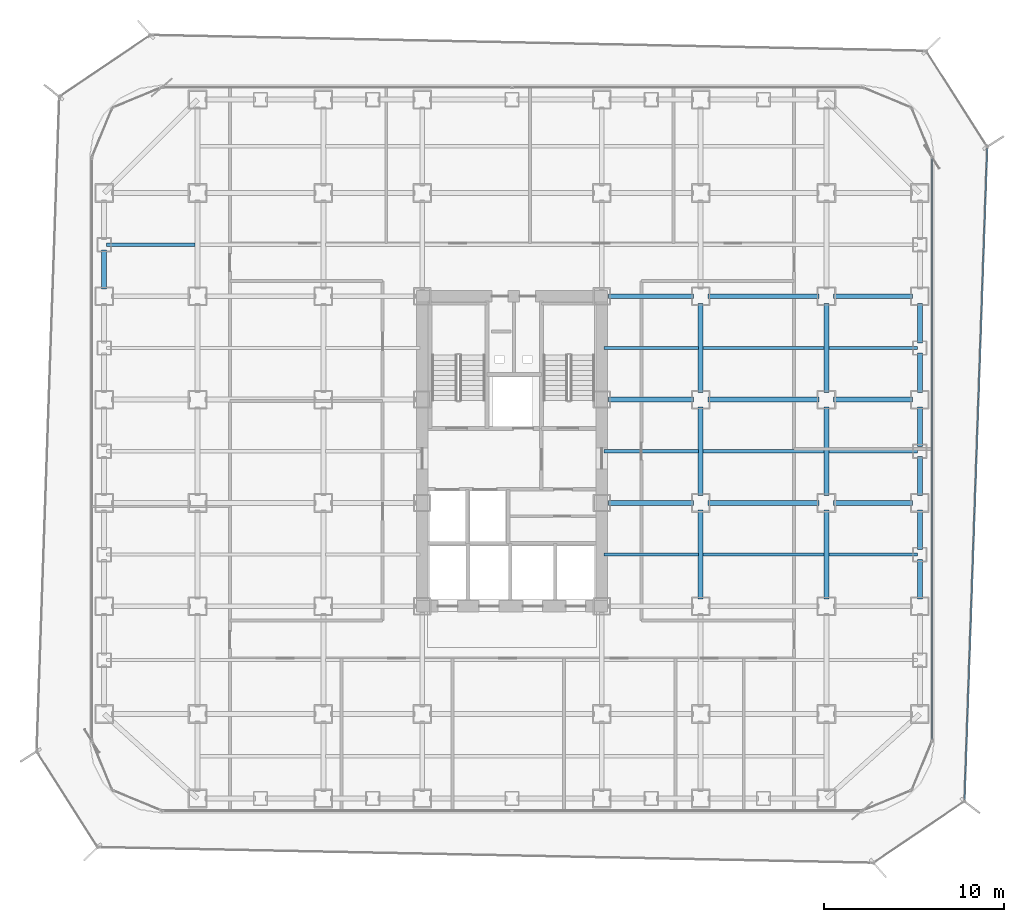
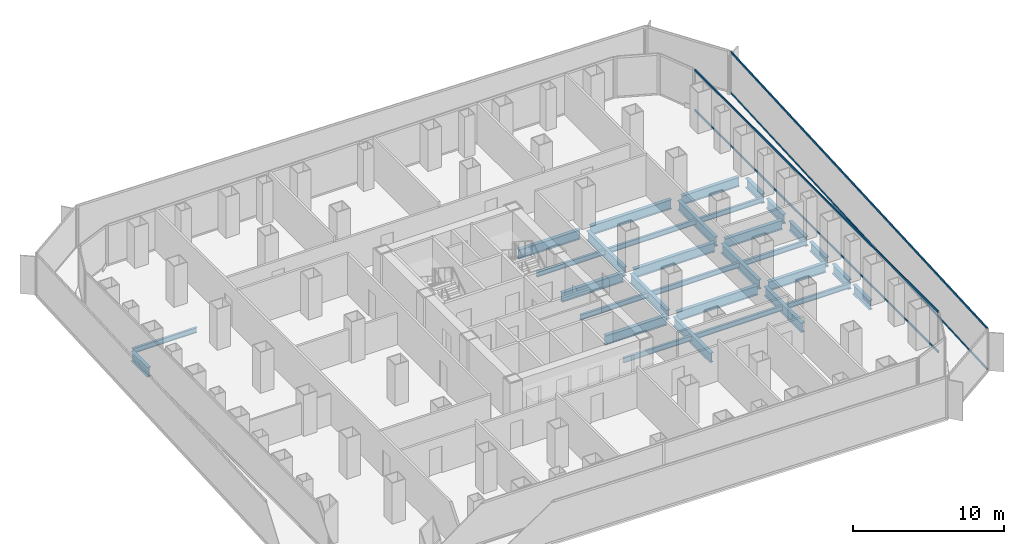
# One storey, part 9 of 22: 32 beams, 4 members, 2 elements without a shape of their own.
"""IFC4 building model written with IfcOpenShell, lengths in metres."""

from ifc_helpers import new_model, si_unit, direction, frame, origin, origin_2d, place, context, subcontext, project, spatial, hollow_rectangle, i_section, extrude, source, transform, mapped, material, layer, layer_set, material_profile, profile_set, type_object, element, aggregate, save


model = new_model("IFC4")

# Units and contexts
model_context = context("Model", 3, precision=1e-05, world=origin(), true_north=direction((0.0, 1.0)))
body_context = subcontext(model_context, "Body", "Model", "MODEL_VIEW")
ifc_project = project(units=[si_unit("LENGTHUNIT", "METRE"), si_unit("AREAUNIT", "SQUARE_METRE"), si_unit("VOLUMEUNIT", "CUBIC_METRE"), si_unit("PLANEANGLEUNIT", "RADIAN"), si_unit("MASSUNIT", "GRAM", prefix="KILO")], contexts=[model_context])

# Site, building, storey
site_placement = place(None, origin())
site = spatial("IfcSite", under=ifc_project, at=site_placement, CompositionType="ELEMENT")
building_placement = place(site_placement, origin())
building = spatial("IfcBuilding", under=site, at=building_placement, Name="Kolveth Station Tower", CompositionType="ELEMENT")
storey_placement = place(building_placement, frame((0.0, 0.0, 65.699951171875)))
storey = spatial("IfcBuildingStorey", under=building, at=storey_placement, Name="L17", CompositionType="ELEMENT", Elevation=65.699951171875)

# Beams
ifc_material_1 = material(Name="Steel S355", Category="steel")
ifc_material_profile_1 = material_profile(ifc_material_1, i_section(OverallWidth=0.26904296875, OverallDepth=0.77490234375, WebThickness=0.01708984375, FlangeThickness=0.0283203125, at=origin_2d()), Name="W760x220")
ifc_profile_set_1 = profile_set([ifc_material_profile_1], Name="Steel S355")
beam_type_1 = type_object("IfcBeamType", Name="Beam_SP1", PredefinedType="SPANDREL", material=ifc_profile_set_1)
shared_shape_1 = source(origin(), body_context, "Body", "SweptSolid", [
    extrude(i_section(OverallWidth=0.26904296875, OverallDepth=0.77490234375, WebThickness=0.01708984375, FlangeThickness=0.0283203125, at=origin_2d()), origin(), (0.0, 0.0, 1.0), 2.2001953125),
])
for number, where, z_axis, x_axis, name in (
    (1, (46.199951171875, 11.89990234375, -0.66748046875), (0.0, 1.0, 0.0), (-1.0, 0.0, 0.0), "L17 Perimeter Spandrel BM-L17-PE-3"),
    (2, (46.199951171875, 20.39990234375, -0.66748046875), (0.0, 1.0, 0.0), (-1.0, 0.0, 0.0), "L17 Perimeter Spandrel BM-L17-PE-6"),
    (3, (46.199951171875, 23.39990234375, -0.66748046875), (0.0, 1.0, 0.0), (-1.0, 0.0, 0.0), "L17 Perimeter Spandrel BM-L17-PE-7"),
):
    element("IfcBeam", number, at=place(storey_placement, frame(where, z_axis=z_axis, x_axis=x_axis)), inside=storey, type_object=beam_type_1, Name=name, PredefinedType="SPANDREL", context=body_context, shape_type="MappedRepresentation", body=[
        mapped(shared_shape_1, transform((0.0, 0.0, 0.0), x_axis=(1.0, 0.0, 0.0), y_axis=(0.0, 1.0, 0.0), z_axis=(0.0, 0.0, 1.0), scale=1.0)),
    ])
shared_shape_2 = source(origin(), body_context, "Body", "SweptSolid", [
    extrude(i_section(OverallWidth=0.26904296875, OverallDepth=0.77490234375, WebThickness=0.01708984375, FlangeThickness=0.0283203125, at=origin_2d()), origin(), (0.0, 0.0, 1.0), 2.190185546875),
])
for number, where, z_axis, x_axis, name in (
    (4, (0.800048828125, 29.14990234375, -0.66748046875), (0.0, 1.0, 0.0), (-1.0, 0.0, 0.0), "L17 Perimeter Spandrel BM-L17-PW-9"),
    (5, (46.199951171875, 14.659912109375, -0.66748046875), (0.0, 1.0, 0.0), (-1.0, 0.0, 0.0), "L17 Perimeter Spandrel BM-L17-PE-4"),
    (6, (46.199951171875, 17.64990234375, -0.66748046875), (0.0, 1.0, 0.0), (-1.0, 0.0, 0.0), "L17 Perimeter Spandrel BM-L17-PE-5"),
    (7, (46.199951171875, 26.159912109375, -0.66748046875), (0.0, 1.0, 0.0), (-1.0, 0.0, 0.0), "L17 Perimeter Spandrel BM-L17-PE-8"),
):
    element("IfcBeam", number, at=place(storey_placement, frame(where, z_axis=z_axis, x_axis=x_axis)), inside=storey, type_object=beam_type_1, Name=name, PredefinedType="SPANDREL", context=body_context, shape_type="MappedRepresentation", body=[
        mapped(shared_shape_2, transform((0.0, 0.0, 0.0), x_axis=(1.0, 0.0, 0.0), y_axis=(0.0, 1.0, 0.0), z_axis=(0.0, 0.0, 1.0), scale=1.0)),
    ])
ifc_material_profile_2 = material_profile(ifc_material_1, i_section(OverallWidth=0.26708984375, OverallDepth=0.76611328125, WebThickness=0.014892578125, FlangeThickness=0.023681640625, at=origin_2d()), Name="W760x185")
ifc_profile_set_2 = profile_set([ifc_material_profile_2], Name="Steel S355")
beam_type_2 = type_object("IfcBeamType", Name="Beam_B3", PredefinedType="BEAM", material=ifc_profile_set_2)
shared_shape_3 = source(origin(), body_context, "Body", "SweptSolid", [
    extrude(i_section(OverallWidth=0.26708984375, OverallDepth=0.76611328125, WebThickness=0.014892578125, FlangeThickness=0.023681640625, at=origin_2d()), origin(), (0.0, 0.0, 1.0), 4.400146484375),
])
for number, where, z_axis, x_axis, name in (
    (8, (41.39990234375, 17.25, -0.662841796875), (1.0, 0.0, 0.0), (0.0, 1.0, 0.0), "L17 Primary Girder BM-L17-GY172-7"),
    (9, (41.39990234375, 23.0, -0.662841796875), (1.0, 0.0, 0.0), (0.0, 1.0, 0.0), "L17 Primary Girder BM-L17-GY230-7"),
    (10, (41.39990234375, 28.75, -0.662841796875), (1.0, 0.0, 0.0), (0.0, 1.0, 0.0), "L17 Primary Girder BM-L17-GY287-7"),
):
    element("IfcBeam", number, at=place(storey_placement, frame(where, z_axis=z_axis, x_axis=x_axis)), inside=storey, type_object=beam_type_2, Name=name, PredefinedType="BEAM", context=body_context, shape_type="MappedRepresentation", body=[
        mapped(shared_shape_3, transform((0.0, 0.0, 0.0), x_axis=(1.0, 0.0, 0.0), y_axis=(0.0, 1.0, 0.0), z_axis=(0.0, 0.0, 1.0), scale=1.0)),
    ])
shared_shape_4 = source(origin(), body_context, "Body", "SweptSolid", [
    extrude(i_section(OverallWidth=0.26708984375, OverallDepth=0.76611328125, WebThickness=0.014892578125, FlangeThickness=0.023681640625, at=origin_2d()), origin(), (0.0, 0.0, 1.0), 6.2001953125),
])
for number, where, z_axis, x_axis, name in (
    (11, (34.39990234375, 17.25, -0.662841796875), (1.0, 0.0, 0.0), (0.0, 1.0, 0.0), "L17 Primary Girder BM-L17-GY172-6"),
    (12, (34.39990234375, 23.0, -0.662841796875), (1.0, 0.0, 0.0), (0.0, 1.0, 0.0), "L17 Primary Girder BM-L17-GY230-6"),
    (13, (34.39990234375, 28.75, -0.662841796875), (1.0, 0.0, 0.0), (0.0, 1.0, 0.0), "L17 Primary Girder BM-L17-GY287-6"),
):
    element("IfcBeam", number, at=place(storey_placement, frame(where, z_axis=z_axis, x_axis=x_axis)), inside=storey, type_object=beam_type_2, Name=name, PredefinedType="BEAM", context=body_context, shape_type="MappedRepresentation", body=[
        mapped(shared_shape_4, transform((0.0, 0.0, 0.0), x_axis=(1.0, 0.0, 0.0), y_axis=(0.0, 1.0, 0.0), z_axis=(0.0, 0.0, 1.0), scale=1.0)),
    ])
shared_shape_5 = source(origin(), body_context, "Body", "SweptSolid", [
    extrude(i_section(OverallWidth=0.26708984375, OverallDepth=0.76611328125, WebThickness=0.014892578125, FlangeThickness=0.023681640625, at=origin_2d()), origin(), (0.0, 0.0, 1.0), 4.739990234375),
])
for number, where, z_axis, x_axis, name in (
    (14, (28.860107421875, 17.25, -0.662841796875), (1.0, 0.0, 0.0), (0.0, 1.0, 0.0), "L17 Primary Girder BM-L17-GY172-5"),
    (15, (28.860107421875, 23.0, -0.662841796875), (1.0, 0.0, 0.0), (0.0, 1.0, 0.0), "L17 Primary Girder BM-L17-GY230-5"),
    (16, (28.860107421875, 28.75, -0.662841796875), (1.0, 0.0, 0.0), (0.0, 1.0, 0.0), "L17 Primary Girder BM-L17-GY287-5"),
):
    element("IfcBeam", number, at=place(storey_placement, frame(where, z_axis=z_axis, x_axis=x_axis)), inside=storey, type_object=beam_type_2, Name=name, PredefinedType="BEAM", context=body_context, shape_type="MappedRepresentation", body=[
        mapped(shared_shape_5, transform((0.0, 0.0, 0.0), x_axis=(1.0, 0.0, 0.0), y_axis=(0.0, 1.0, 0.0), z_axis=(0.0, 0.0, 1.0), scale=1.0)),
    ])
shared_shape_6 = source(origin(), body_context, "Body", "SweptSolid", [
    extrude(i_section(OverallWidth=0.26708984375, OverallDepth=0.76611328125, WebThickness=0.014892578125, FlangeThickness=0.023681640625, at=origin_2d()), origin(), (0.0, 0.0, 1.0), 4.9501953125),
])
for number, where, z_axis, x_axis, name in (
    (17, (34.0, 11.89990234375, -0.662841796875), (0.0, 1.0, 0.0), (-1.0, 0.0, 0.0), "L17 Primary Girder BM-L17-GX340-3"),
    (18, (34.0, 17.64990234375, -0.662841796875), (0.0, 1.0, 0.0), (-1.0, 0.0, 0.0), "L17 Primary Girder BM-L17-GX340-4"),
    (19, (34.0, 23.39990234375, -0.662841796875), (0.0, 1.0, 0.0), (-1.0, 0.0, 0.0), "L17 Primary Girder BM-L17-GX340-5"),
    (20, (41.0, 11.89990234375, -0.662841796875), (0.0, 1.0, 0.0), (-1.0, 0.0, 0.0), "L17 Primary Girder BM-L17-GX410-3"),
    (21, (41.0, 17.64990234375, -0.662841796875), (0.0, 1.0, 0.0), (-1.0, 0.0, 0.0), "L17 Primary Girder BM-L17-GX410-4"),
    (22, (41.0, 23.39990234375, -0.662841796875), (0.0, 1.0, 0.0), (-1.0, 0.0, 0.0), "L17 Primary Girder BM-L17-GX410-5"),
):
    element("IfcBeam", number, at=place(storey_placement, frame(where, z_axis=z_axis, x_axis=x_axis)), inside=storey, type_object=beam_type_2, Name=name, PredefinedType="BEAM", context=body_context, shape_type="MappedRepresentation", body=[
        mapped(shared_shape_6, transform((0.0, 0.0, 0.0), x_axis=(1.0, 0.0, 0.0), y_axis=(0.0, 1.0, 0.0), z_axis=(0.0, 0.0, 1.0), scale=1.0)),
    ])
ifc_material_profile_3 = material_profile(ifc_material_1, i_section(OverallWidth=0.177978515625, OverallDepth=0.406982421875, WebThickness=0.0078125, FlangeThickness=0.0126953125, at=origin_2d()), Name="W410x60")
ifc_profile_set_3 = profile_set([ifc_material_profile_3], Name="Steel S355")
beam_type_3 = type_object("IfcBeamType", Name="Beam_J1", PredefinedType="JOIST", material=ifc_profile_set_3)
shared_shape_7 = source(origin(), body_context, "Body", "SweptSolid", [
    extrude(i_section(OverallWidth=0.177978515625, OverallDepth=0.406982421875, WebThickness=0.0078125, FlangeThickness=0.0126953125, at=origin_2d()), origin(), (0.0, 0.0, 1.0), 4.935791015625),
])
for number, where, z_axis, x_axis, name in (
    (23, (0.9326171875, 31.625, -0.4833984375), (1.0, 0.0, 0.0), (0.0, 1.0, 0.0), "L17 Secondary Joist JST-L17-1-6"),
    (24, (41.131591796875, 14.375, -0.4833984375), (1.0, 0.0, 0.0), (0.0, 1.0, 0.0), "L17 Secondary Joist JST-L17-7-3"),
    (25, (41.131591796875, 20.125, -0.4833984375), (1.0, 0.0, 0.0), (0.0, 1.0, 0.0), "L17 Secondary Joist JST-L17-7-4"),
    (26, (41.131591796875, 25.875, -0.4833984375), (1.0, 0.0, 0.0), (0.0, 1.0, 0.0), "L17 Secondary Joist JST-L17-7-5"),
):
    element("IfcBeam", number, at=place(storey_placement, frame(where, z_axis=z_axis, x_axis=x_axis)), inside=storey, type_object=beam_type_3, Name=name, PredefinedType="JOIST", context=body_context, shape_type="MappedRepresentation", body=[
        mapped(shared_shape_7, transform((0.0, 0.0, 0.0), x_axis=(1.0, 0.0, 0.0), y_axis=(0.0, 1.0, 0.0), z_axis=(0.0, 0.0, 1.0), scale=1.0)),
    ])
shared_shape_8 = source(origin(), body_context, "Body", "SweptSolid", [
    extrude(i_section(OverallWidth=0.177978515625, OverallDepth=0.406982421875, WebThickness=0.0078125, FlangeThickness=0.0126953125, at=origin_2d()), origin(), (0.0, 0.0, 1.0), 6.73681640625),
])
for number, where, z_axis, x_axis, name in (
    (27, (34.131591796875, 14.375, -0.4833984375), (1.0, 0.0, 0.0), (0.0, 1.0, 0.0), "L17 Secondary Joist JST-L17-6-3"),
    (28, (34.131591796875, 20.125, -0.4833984375), (1.0, 0.0, 0.0), (0.0, 1.0, 0.0), "L17 Secondary Joist JST-L17-6-4"),
    (29, (34.131591796875, 25.875, -0.4833984375), (1.0, 0.0, 0.0), (0.0, 1.0, 0.0), "L17 Secondary Joist JST-L17-6-5"),
):
    element("IfcBeam", number, at=place(storey_placement, frame(where, z_axis=z_axis, x_axis=x_axis)), inside=storey, type_object=beam_type_3, Name=name, PredefinedType="JOIST", context=body_context, shape_type="MappedRepresentation", body=[
        mapped(shared_shape_8, transform((0.0, 0.0, 0.0), x_axis=(1.0, 0.0, 0.0), y_axis=(0.0, 1.0, 0.0), z_axis=(0.0, 0.0, 1.0), scale=1.0)),
    ])
shared_shape_9 = source(origin(), body_context, "Body", "SweptSolid", [
    extrude(i_section(OverallWidth=0.177978515625, OverallDepth=0.406982421875, WebThickness=0.0078125, FlangeThickness=0.0126953125, at=origin_2d()), origin(), (0.0, 0.0, 1.0), 5.23681640625),
])
for number, where, z_axis, x_axis, name in (
    (30, (28.631591796875, 14.375, -0.4833984375), (1.0, 0.0, 0.0), (0.0, 1.0, 0.0), "L17 Secondary Joist JST-L17-5-3"),
    (31, (28.631591796875, 20.125, -0.4833984375), (1.0, 0.0, 0.0), (0.0, 1.0, 0.0), "L17 Secondary Joist JST-L17-5-4"),
    (32, (28.631591796875, 25.875, -0.4833984375), (1.0, 0.0, 0.0), (0.0, 1.0, 0.0), "L17 Secondary Joist JST-L17-5-5"),
):
    element("IfcBeam", number, at=place(storey_placement, frame(where, z_axis=z_axis, x_axis=x_axis)), inside=storey, type_object=beam_type_3, Name=name, PredefinedType="JOIST", context=body_context, shape_type="MappedRepresentation", body=[
        mapped(shared_shape_9, transform((0.0, 0.0, 0.0), x_axis=(1.0, 0.0, 0.0), y_axis=(0.0, 1.0, 0.0), z_axis=(0.0, 0.0, 1.0), scale=1.0)),
    ])

# Curtain wall, members
ifc_material_2 = material(Name="Aluminium 6063-T6 and low-E dark glass", Category="aluminium")
ifc_layer_1 = layer(ifc_material_2, 0.179931640625)
ifc_layer_set_1 = layer_set([ifc_layer_1], Name="Aluminium 6063-T6 and low-E dark glass")
curtain_wall_type_1 = type_object("IfcCurtainWallType", Name="CurtainWall_CW-Z1", PredefinedType="NOTDEFINED", material=ifc_layer_set_1)
curtain_wall_1_placement = place(storey_placement, origin())
curtain_wall_1 = element("IfcCurtainWall", 33, at=curtain_wall_1_placement, inside=storey, type_object=curtain_wall_type_1, Name="L17 Inner Thermal Curtain Wall 3", PredefinedType="NOTDEFINED")
ifc_material_3 = material(Name="Black anodized aluminium 6063-T6", Category="aluminium")
ifc_material_profile_4 = material_profile(ifc_material_3, hollow_rectangle(XDim=0.074951171875, YDim=0.159912109375, WallThickness=0.0048828125, at=origin_2d()), Name="ALU-75x160x5")
ifc_profile_set_4 = profile_set([ifc_material_profile_4], Name="Black anodized aluminium 6063-T6")
member_type_1 = type_object("IfcMemberType", Name="Transom_TR1", PredefinedType="USERDEFINED", material=ifc_profile_set_4)
shared_shape_10 = source(origin(), body_context, "Body", "SweptSolid", [
    extrude(hollow_rectangle(XDim=0.074951171875, YDim=0.159912109375, WallThickness=0.0048828125, at=origin_2d()), origin(), (0.0, 0.0, 1.0), 32.35009765625),
])
member_1_placement = place(storey_placement, frame((46.8798828125, 4.074951171875, 0.03759765625), z_axis=(0.0, 1.0, 0.0), x_axis=(-1.0, 0.0, 0.0)))
member_1 = element("IfcMember", 34, at=member_1_placement, type_object=member_type_1, Name="CW-Z1 transom 1.1", ObjectType="TRANSOM", PredefinedType="USERDEFINED", context=body_context, shape_type="MappedRepresentation", body=[
    mapped(shared_shape_10, transform((0.0, 0.0, 0.0), x_axis=(1.0, 0.0, 0.0), y_axis=(0.0, 1.0, 0.0), z_axis=(0.0, 0.0, 1.0), scale=1.0)),
])
member_2_placement = place(storey_placement, frame((46.8798828125, 4.074951171875, 3.282470703125), z_axis=(0.0, 1.0, 0.0), x_axis=(-1.0, 0.0, 0.0)))
member_2 = element("IfcMember", 35, at=member_2_placement, type_object=member_type_1, Name="CW-Z1 transom 1.2", ObjectType="TRANSOM", PredefinedType="USERDEFINED", context=body_context, shape_type="MappedRepresentation", body=[
    mapped(shared_shape_10, transform((0.0, 0.0, 0.0), x_axis=(1.0, 0.0, 0.0), y_axis=(0.0, 1.0, 0.0), z_axis=(0.0, 0.0, 1.0), scale=1.0)),
])
aggregate(curtain_wall_1, [member_1, member_2])

ifc_material_4 = material(Name="Black anodized aluminium 6063-T6 and dark solar glass", Category="aluminium")
ifc_layer_2 = layer(ifc_material_4, 0.159912109375)
ifc_layer_set_2 = layer_set([ifc_layer_2], Name="Black anodized aluminium 6063-T6 and dark solar glass")
curtain_wall_type_2 = type_object("IfcCurtainWallType", Name="OUTER SKIN CW-OS", PredefinedType="NOTDEFINED", material=ifc_layer_set_2)
curtain_wall_2_placement = place(storey_placement, origin())
curtain_wall_2 = element("IfcCurtainWall", 36, at=curtain_wall_2_placement, inside=storey, type_object=curtain_wall_type_2, Name="L17 Outer Ventilated Skin Curtain Wall 2", PredefinedType="NOTDEFINED")
ifc_material_profile_5 = material_profile(ifc_material_3, hollow_rectangle(XDim=0.080078125, YDim=0.14990234375, WallThickness=0.0048828125, at=origin_2d()), Name="ALU-80x150x5")
ifc_profile_set_5 = profile_set([ifc_material_profile_5], Name="Black anodized aluminium 6063-T6")
member_type_2 = type_object("IfcMemberType", Name="Transom_TR-OS", PredefinedType="USERDEFINED", material=ifc_profile_set_5)
shared_shape_11 = source(origin(), body_context, "Body", "SweptSolid", [
    extrude(hollow_rectangle(XDim=0.080078125, YDim=0.14990234375, WallThickness=0.0048828125, at=origin_2d()), origin(), (0.0, 0.0, 1.0), 36.277099609375),
])
member_3_placement = place(storey_placement, frame((48.68994140625, 0.7353515625, 0.0400390625), z_axis=(0.034746448665, 0.999396159841, 0.0), x_axis=(-0.999396159841, 0.034746448665, 0.0)))
member_3 = element("IfcMember", 37, at=member_3_placement, type_object=member_type_2, Name="CW-OS transom 1.1", ObjectType="TRANSOM", PredefinedType="USERDEFINED", context=body_context, shape_type="MappedRepresentation", body=[
    mapped(shared_shape_11, transform((0.0, 0.0, 0.0), x_axis=(1.0, 0.0, 0.0), y_axis=(0.0, 1.0, 0.0), z_axis=(0.0, 0.0, 1.0), scale=1.0)),
])
member_4_placement = place(storey_placement, frame((48.68994140625, 0.7353515625, 3.35009765625), z_axis=(0.034746448665, 0.999396159841, 0.0), x_axis=(-0.999396159841, 0.034746448665, 0.0)))
member_4 = element("IfcMember", 38, at=member_4_placement, type_object=member_type_2, Name="CW-OS transom 1.2", ObjectType="TRANSOM", PredefinedType="USERDEFINED", context=body_context, shape_type="MappedRepresentation", body=[
    mapped(shared_shape_11, transform((0.0, 0.0, 0.0), x_axis=(1.0, 0.0, 0.0), y_axis=(0.0, 1.0, 0.0), z_axis=(0.0, 0.0, 1.0), scale=1.0)),
])
aggregate(curtain_wall_2, [member_3, member_4])

save(model, "model.ifc")
